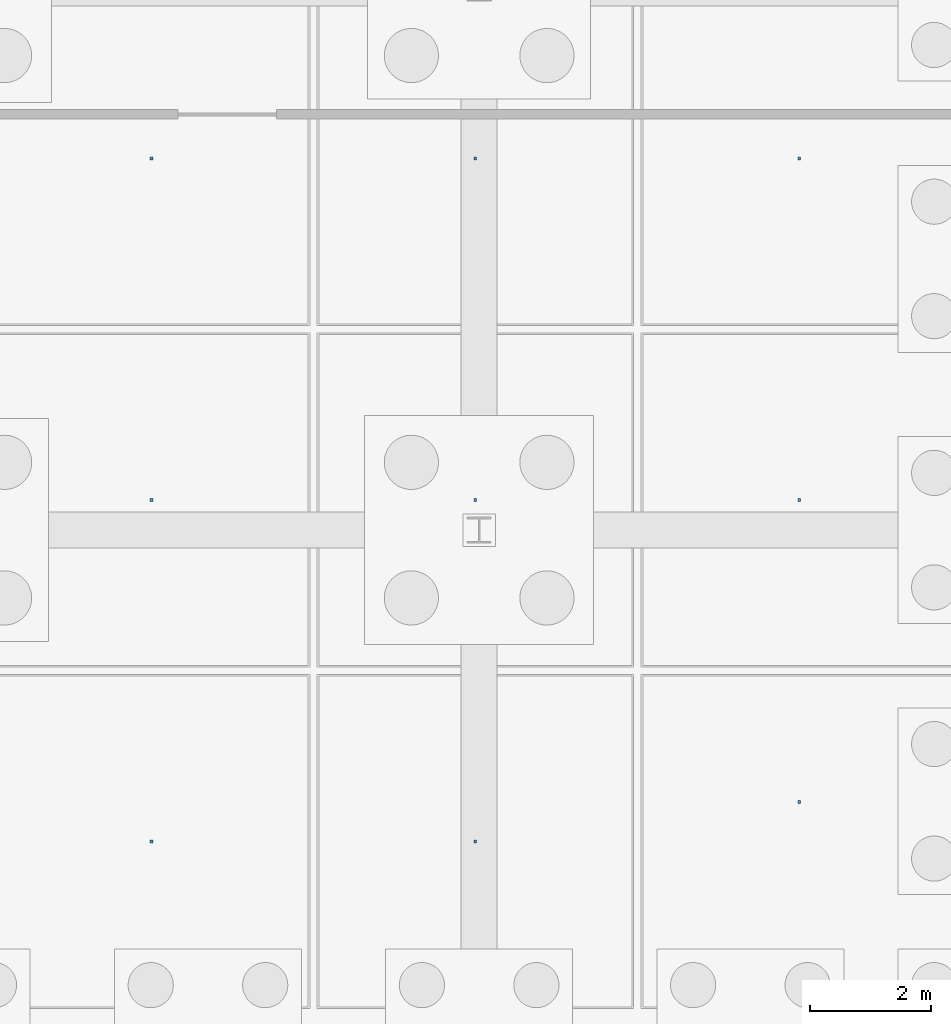
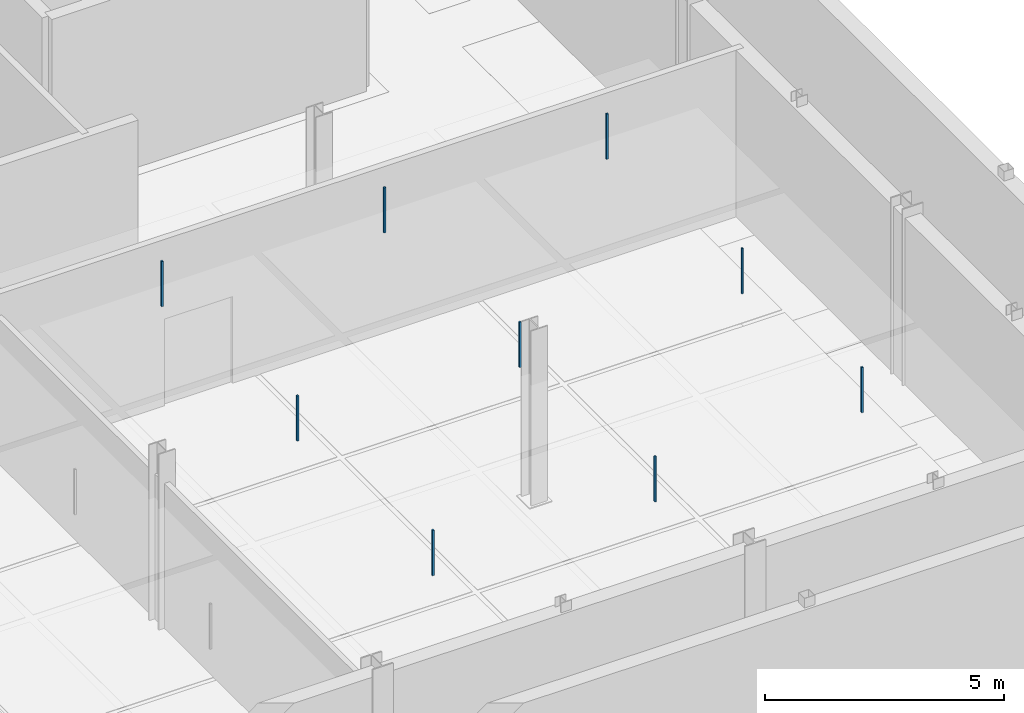
# One storey, part 31 of 48: 9 discrete accessories.
"""IFC4 building model written with IfcOpenShell, lengths in metres."""

from ifc_helpers import new_model, si_unit, direction, frame, origin, origin_2d, place, context, subcontext, project, spatial, rectangle, extrude, material, type_object, element, save


model = new_model("IFC4")

# Units and contexts
model_context = context("Model", 3, precision=1e-05, world=origin(), true_north=direction((0.0, 1.0)))
body_context = subcontext(model_context, "Body", "Model", "MODEL_VIEW")
ifc_project = project(units=[si_unit("LENGTHUNIT", "METRE"), si_unit("AREAUNIT", "SQUARE_METRE"), si_unit("VOLUMEUNIT", "CUBIC_METRE"), si_unit("PLANEANGLEUNIT", "RADIAN"), si_unit("MASSUNIT", "GRAM", prefix="KILO"), si_unit("THERMODYNAMICTEMPERATUREUNIT", "KELVIN"), si_unit("POWERUNIT", "WATT")], contexts=[model_context])

# Site, building, storey
site_placement = place(None, origin())
site = spatial("IfcSite", under=ifc_project, at=site_placement, CompositionType="ELEMENT")
building_placement = place(site_placement, origin())
building = spatial("IfcBuilding", under=site, at=building_placement, Name="Tallowbark Science Centre", CompositionType="ELEMENT")
storey_placement = place(building_placement, frame((0.0, 0.0, -4.5)))
storey = spatial("IfcBuildingStorey", under=building, at=storey_placement, Name="B1", CompositionType="ELEMENT", Elevation=-4.5)

# Discrete accessories
ifc_material = material(Name="Galvanised Steel Grade C350L0 (350 MPa)", Category="steel")
discrete_accessory_type = type_object("IfcDiscreteAccessoryType", Name="ACC-CLG-HNG", PredefinedType="BRACKET", material=ifc_material)
for number, where, z_axis, x_axis, name in (
    (1, (89.0625, 8.333251953125, 3.10595703125), (0.0, 0.0, 1.0), (1.0, 0.0, 0.0), "Ceiling Hanger Bracket B1-25"),
    (2, (89.0625, 14.0, 3.10595703125), (0.0, 0.0, 1.0), (1.0, 0.0, 0.0), "Ceiling Hanger Bracket B1-26"),
    (3, (89.0625, 19.666748046875, 3.10595703125), (0.0, 0.0, 1.0), (1.0, 0.0, 0.0), "Ceiling Hanger Bracket B1-27"),
    (4, (94.4375, 8.333251953125, 3.10595703125), (0.0, 0.0, 1.0), (1.0, 0.0, 0.0), "Ceiling Hanger Bracket B1-28"),
    (5, (94.4375, 14.0, 3.10595703125), (0.0, 0.0, 1.0), (1.0, 0.0, 0.0), "Ceiling Hanger Bracket B1-29"),
    (6, (94.4375, 19.666748046875, 3.10595703125), (0.0, 0.0, 1.0), (1.0, 0.0, 0.0), "Ceiling Hanger Bracket B1-30"),
    (7, (99.8125, 8.98828125, 3.10595703125), (0.0, 0.0, 1.0), (1.0, 0.0, 0.0), "Ceiling Hanger Bracket B1-31"),
    (8, (99.8125, 14.0, 3.10595703125), (0.0, 0.0, 1.0), (1.0, 0.0, 0.0), "Ceiling Hanger Bracket B1-32"),
    (9, (99.8125, 19.666748046875, 3.10595703125), (0.0, 0.0, 1.0), (1.0, 0.0, 0.0), "Ceiling Hanger Bracket B1-33"),
):
    element("IfcDiscreteAccessory", number, at=place(storey_placement, frame(where, z_axis=z_axis, x_axis=x_axis)), inside=storey, type_object=discrete_accessory_type, Name=name, PredefinedType="BRACKET", context=body_context, shape_type="SweptSolid", body=[
        extrude(rectangle(XDim=0.044921875, YDim=0.044921875, at=origin_2d()), origin(), (0.0, 0.0, 1.0), 1.156982421875),
    ])

save(model, "model.ifc")
